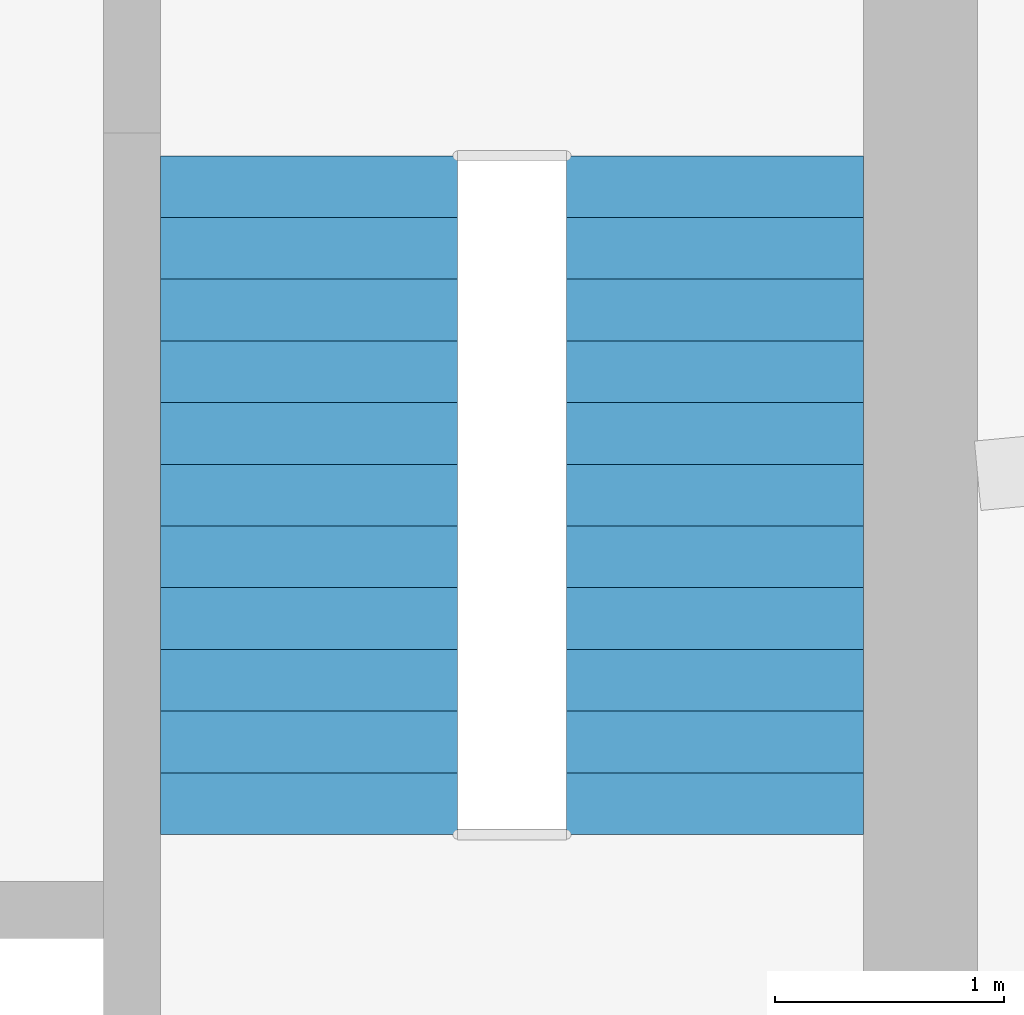
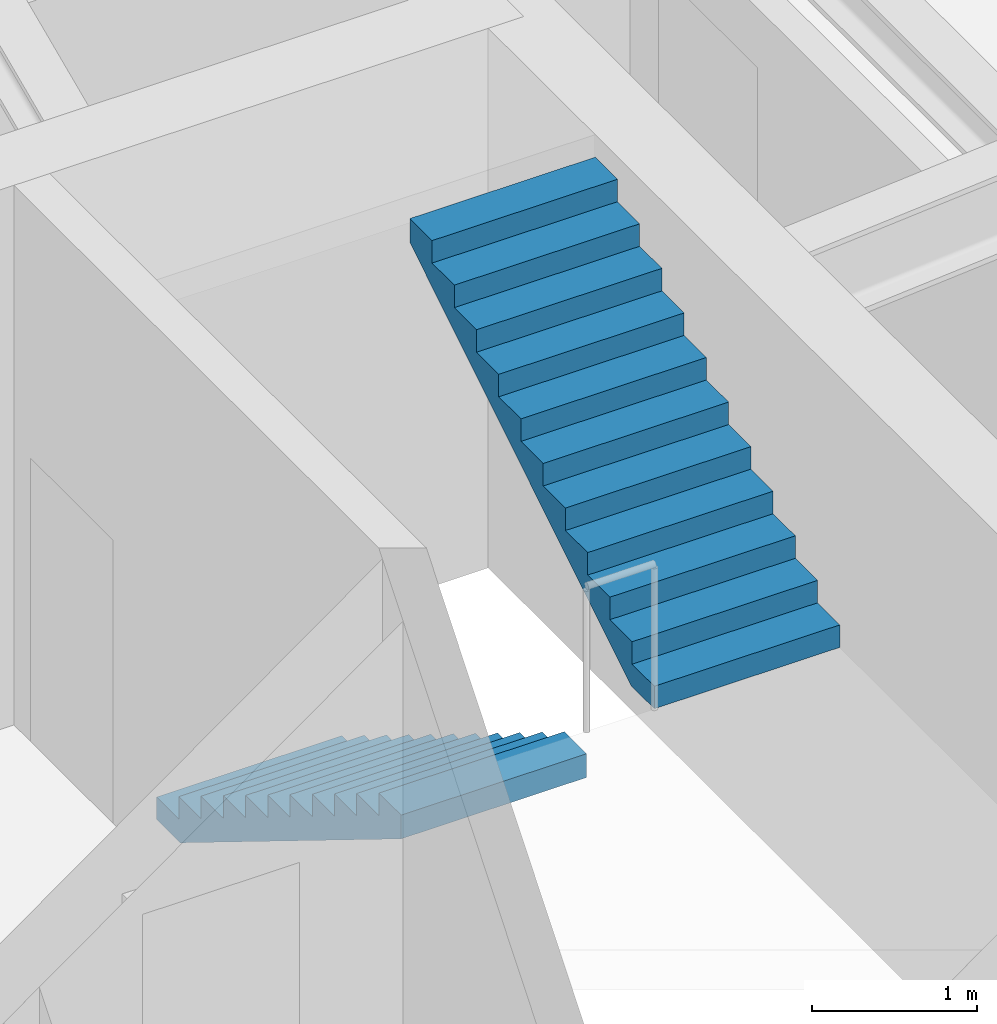
# One storey, part 10 of 13: 2 stair flights, 1 element without a shape of its own.
"""IFC4 building model written with IfcOpenShell, lengths in metres."""

from ifc_helpers import new_model, si_unit, direction, frame, origin, place, context, subcontext, project, spatial, polyline, outline, extrude, material, type_object, element, aggregate, save


model = new_model("IFC4")

# Units and contexts
model_context = context("Model", 3, precision=1e-05, world=origin(), true_north=direction((0.0, 1.0)))
body_context = subcontext(model_context, "Body", "Model", "MODEL_VIEW")
ifc_project = project(units=[si_unit("LENGTHUNIT", "METRE"), si_unit("AREAUNIT", "SQUARE_METRE"), si_unit("VOLUMEUNIT", "CUBIC_METRE"), si_unit("PLANEANGLEUNIT", "RADIAN"), si_unit("MASSUNIT", "GRAM", prefix="KILO")], contexts=[model_context])

# Site, building, storey
site_placement = place(None, origin())
site = spatial("IfcSite", under=ifc_project, at=site_placement, CompositionType="ELEMENT")
building_placement = place(site_placement, origin())
building = spatial("IfcBuilding", under=site, at=building_placement, Name="Isbrekke Arena Tower", CompositionType="ELEMENT")
storey_placement = place(building_placement, frame((0.0, 0.0, 280.0)))
storey = spatial("IfcBuildingStorey", under=building, at=storey_placement, Name="L65", CompositionType="ELEMENT", Elevation=280.0)

# Stair, stair flights
ifc_material_1 = material(Name="Concrete B45 (C45/55) precast", Category="concrete")
stair_type = type_object("IfcStairType", Name="ST40 STAIR 1300 WIDE, 24 RISERS 167", PredefinedType="HALF_TURN_STAIR", material=ifc_material_1)
stair_placement = place(storey_placement, origin())
stair = element("IfcStair", 1, at=stair_placement, inside=storey, type_object=stair_type, Name="ST2 stair L65", PredefinedType="HALF_TURN_STAIR")
ifc_material_2 = material(Name="Concrete B45 (C45/55) precast", Category="concrete")
stair_flight_type = type_object("IfcStairFlightType", Name="SF 1300 FLIGHT", PredefinedType="STRAIGHT", material=ifc_material_2)
stair_flight_1_placement = place(storey_placement, frame((11.175048828125, 22.300048828125, 0.0), z_axis=(0.0, 0.0, 1.0), x_axis=(0.0, -1.0, 0.0)))
stair_flight_1 = element("IfcStairFlight", 2, at=stair_flight_1_placement, type_object=stair_flight_type, Name="ST2 flight 1", NumberOfRisers=12, NumberOfTreads=11, PredefinedType="STRAIGHT", RiserHeight=0.166666667, TreadLength=0.27, context=body_context, shape_type="SweptSolid", body=[
    extrude(outline(polyline([(0.0, 0.0), (0.0, 0.166748046875), (0.27001953125, 0.166748046875), (0.27001953125, 0.333251953125), (0.5400390625, 0.333251953125), (0.5400390625, 0.5), (0.81005859375, 0.5), (0.81005859375, 0.666748046875), (1.080078125, 0.666748046875), (1.080078125, 0.833251953125), (1.35009765625, 0.833251953125), (1.35009765625, 1.0), (1.6201171875, 1.0), (1.6201171875, 1.166748046875), (1.889892578125, 1.166748046875), (1.889892578125, 1.333251953125), (2.159912109375, 1.333251953125), (2.159912109375, 1.5), (2.429931640625, 1.5), (2.429931640625, 1.666748046875), (2.699951171875, 1.666748046875), (2.699951171875, 1.833251953125), (2.969970703125, 1.833251953125), (2.969970703125, 2.0), (2.969970703125, 1.6572265625), (0.285400390625, 0.0), (0.0, 0.0)])), frame((0.0, 0.64990234375, 0.0), z_axis=(0.0, -1.0, 0.0), x_axis=(1.0, 0.0, 0.0)), (0.0, 0.0, 1.0), 1.300048828125),
])
stair_flight_2_placement = place(storey_placement, frame((12.949951171875, 19.330078125, 2.0), z_axis=(0.0, 0.0, 1.0), x_axis=(0.0, 1.0, 0.0)))
stair_flight_2 = element("IfcStairFlight", 3, at=stair_flight_2_placement, type_object=stair_flight_type, Name="ST2 flight 2", NumberOfRisers=12, NumberOfTreads=11, PredefinedType="STRAIGHT", RiserHeight=0.166666667, TreadLength=0.27, context=body_context, shape_type="SweptSolid", body=[
    extrude(outline(polyline([(0.0, 0.0), (0.0, 0.166748046875), (0.27001953125, 0.166748046875), (0.27001953125, 0.333251953125), (0.5400390625, 0.333251953125), (0.5400390625, 0.5), (0.81005859375, 0.5), (0.81005859375, 0.666748046875), (1.080078125, 0.666748046875), (1.080078125, 0.833251953125), (1.35009765625, 0.833251953125), (1.35009765625, 1.0), (1.6201171875, 1.0), (1.6201171875, 1.166748046875), (1.889892578125, 1.166748046875), (1.889892578125, 1.333251953125), (2.159912109375, 1.333251953125), (2.159912109375, 1.5), (2.429931640625, 1.5), (2.429931640625, 1.666748046875), (2.699951171875, 1.666748046875), (2.699951171875, 1.833251953125), (2.969970703125, 1.833251953125), (2.969970703125, 2.0), (2.969970703125, 1.6572265625), (0.285400390625, 0.0), (0.0, 0.0)])), frame((0.0, 0.64990234375, 0.0), z_axis=(0.0, -1.0, 0.0), x_axis=(1.0, 0.0, 0.0)), (0.0, 0.0, 1.0), 1.300048828125),
])
aggregate(stair, [stair_flight_1, stair_flight_2])

save(model, "model.ifc")
